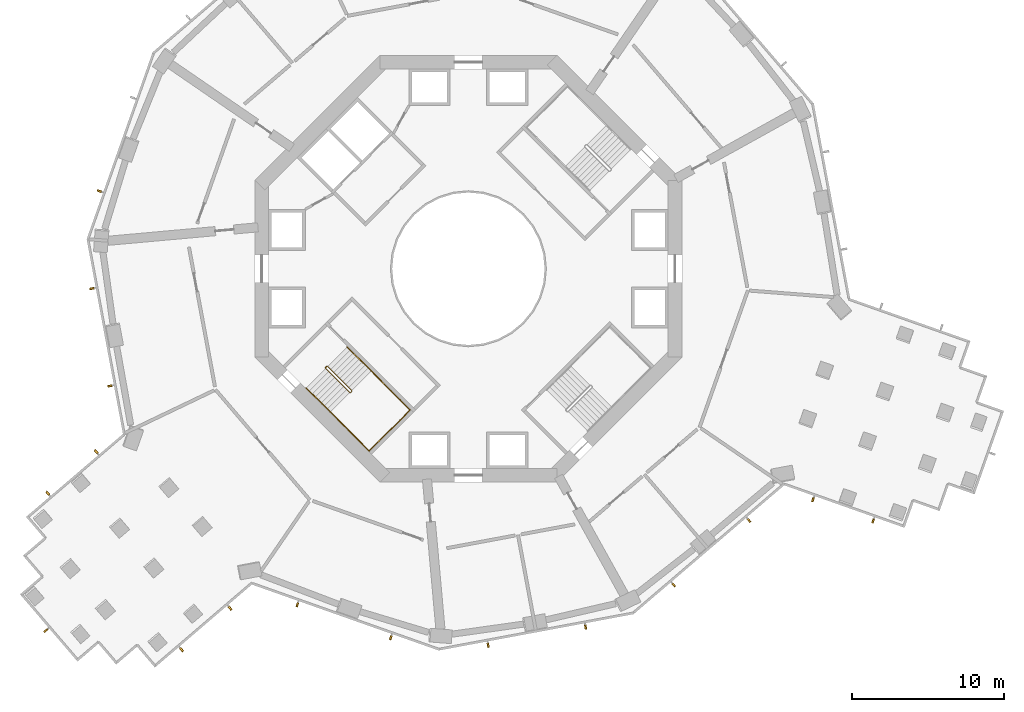
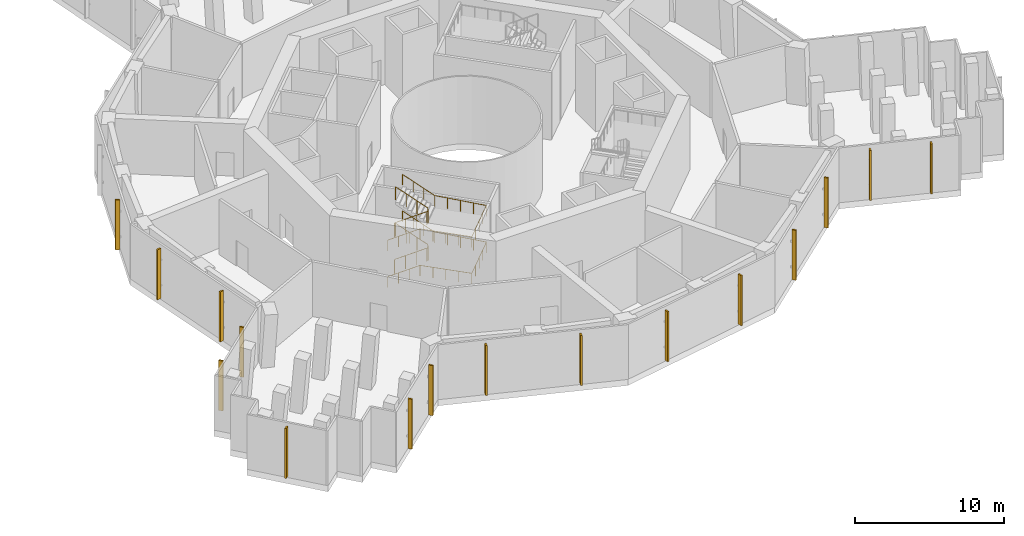
# One storey, part 18 of 20: 16 shading devices, 3 railings.
"""IFC4 building model written with IfcOpenShell, lengths in metres."""

import ifcopenshell
import ifcopenshell.guid

model = None  # the IFC model being written
_history = None  # IfcOwnerHistory: only IFC2X3 demands one
_inside = {}  # id of a spatial element -> (the spatial element, [elements in it])
_under = {}  # id of a project, library or spatial element -> (it, [spatial elements below it])
_declared = {}  # id of a project -> (the project, [libraries it declares])
_typed = {}  # id of a type object -> (the type object, [elements of that type])
_made_of = {}  # id of a material, layer set ... -> (it, [elements and type objects made of it])


def new_model(schema):
    """Start an empty IFC model of exactly this schema.

    Asked for "IFC4X3", IfcOpenShell would pick the latest addendum, in which some entities
    have other attributes; the version numbers below select the first issue.
    IFC2X3 requires an IfcOwnerHistory on every rooted entity: one is made here for all.
    """
    global model, _history
    if schema == "IFC4X3":
        model = ifcopenshell.file(schema_version=(4, 3, 0, 0))
    else:
        model = ifcopenshell.file(schema=schema)
    _inside.clear()
    _under.clear()
    _declared.clear()
    _typed.clear()
    _made_of.clear()
    _history = None
    if model.schema == "IFC2X3":
        org = make("IfcOrganization", Name="unknown")
        user = make(
            "IfcPersonAndOrganization",
            ThePerson=make("IfcPerson", FamilyName="unknown"),
            TheOrganization=org,
        )
        app = make(
            "IfcApplication",
            ApplicationDeveloper=org,
            Version="unknown",
            ApplicationFullName="unknown",
            ApplicationIdentifier="unknown",
        )
        _history = make(
            "IfcOwnerHistory",
            OwningUser=user,
            OwningApplication=app,
            ChangeAction="ADDED",
            CreationDate=0,
        )
    return model


def make(cls, **values):
    """One entity of the class cls with the attributes given. An attribute that is None is left unset."""
    return model.create_entity(
        cls, **{name: value for name, value in values.items() if value is not None}
    )


def rooted(cls, **values):
    """An entity with a GlobalId (a new one), such as an element, a storey or a relation."""
    return make(cls, GlobalId=ifcopenshell.guid.new(), OwnerHistory=_history, **values)


def si_unit(unit_type, name, prefix=None):
    """IfcSIUnit, for example si_unit("LENGTHUNIT", "METRE", prefix="MILLI")."""
    return make("IfcSIUnit", UnitType=unit_type, Prefix=prefix, Name=name)


def assignment(units):
    """IfcUnitAssignment: the units of a project."""
    return None if units is None else make("IfcUnitAssignment", Units=units)


def point(xyz):
    """IfcCartesianPoint."""
    return None if xyz is None else make("IfcCartesianPoint", Coordinates=xyz)


def direction(xyz):
    """IfcDirection."""
    return None if xyz is None else make("IfcDirection", DirectionRatios=xyz)


def frame(location, z_axis=None, x_axis=None):
    """IfcAxis2Placement3D, a coordinate frame: its origin and axes. An axis left out is left unset."""
    return make(
        "IfcAxis2Placement3D",
        Location=point(location),
        Axis=direction(z_axis),
        RefDirection=direction(x_axis),
    )


def frame_2d(location, x_axis=None):
    """IfcAxis2Placement2D, a coordinate frame in the plane: its origin and x axis."""
    return make(
        "IfcAxis2Placement2D", Location=point(location), RefDirection=direction(x_axis)
    )


def origin():
    """The frame at (0, 0, 0) with its axes left unset."""
    return frame((0.0, 0.0, 0.0))


def origin_2d():
    """The frame at (0, 0) in the plane with its x axis left unset."""
    return frame_2d((0.0, 0.0))


def place(relative_to, where):
    """IfcLocalPlacement: puts the frame where relative to a parent placement (None: the world)."""
    return make(
        "IfcLocalPlacement", PlacementRelTo=relative_to, RelativePlacement=where
    )


def context(
    kind, dimensions, precision=None, world=None, true_north=None, identifier=None
):
    """IfcGeometricRepresentationContext, for example the 3D "Model" context."""
    return make(
        "IfcGeometricRepresentationContext",
        ContextIdentifier=identifier,
        ContextType=kind,
        CoordinateSpaceDimension=dimensions,
        Precision=precision,
        WorldCoordinateSystem=world,
        TrueNorth=true_north,
    )


def subcontext(parent, identifier, kind, view, scale=None):
    """IfcGeometricRepresentationSubContext, for example "Body" below "Model"."""
    return make(
        "IfcGeometricRepresentationSubContext",
        ContextIdentifier=identifier,
        ContextType=kind,
        ParentContext=parent,
        TargetScale=scale,
        TargetView=view,
    )


def project(units=None, contexts=None):
    """IfcProject with its units and contexts."""
    return rooted(
        "IfcProject",
        Name="project",
        RepresentationContexts=contexts,
        UnitsInContext=assignment(units),
    )


def spatial(cls, under=None, at=None, **own):
    """A site, building, storey or space (cls), placed at a placement, below another one or the project."""
    s = rooted(cls, ObjectPlacement=at, **own)
    if under is not None:
        _under.setdefault(under.id(), (under, []))[1].append(s)
    return s


def profile(cls, at=None, kind="AREA", **sizes):
    """A parametric profile (cls). Its sizes go by their IFC names, for example OverallWidth=200.0."""
    return make(cls, ProfileType=kind, Position=at, **sizes)


def rectangle(**sizes):
    """IfcRectangleProfileDef."""
    return profile("IfcRectangleProfileDef", **sizes)


def circle(**sizes):
    """IfcCircleProfileDef."""
    return profile("IfcCircleProfileDef", **sizes)


def extrude(swept, where, along, depth):
    """IfcExtrudedAreaSolid: the profile swept, set in the frame where, extruded along a direction by depth."""
    return make(
        "IfcExtrudedAreaSolid",
        SweptArea=swept,
        Position=where,
        ExtrudedDirection=direction(along),
        Depth=depth,
    )


def shape(context_of_items, identifier, shape_type, items):
    """IfcShapeRepresentation: the items that make up one representation, for example the "Body"."""
    return make(
        "IfcShapeRepresentation",
        ContextOfItems=context_of_items,
        RepresentationIdentifier=identifier,
        RepresentationType=shape_type,
        Items=items,
    )


def material(Name=None, Category=None):
    """IfcMaterial."""
    return make("IfcMaterial", Name=Name, Category=Category)


def material_profile(
    of_material, cross_section, Name=None, Category=None, Priority=None
):
    """IfcMaterialProfile: a cross section and its material."""
    return make(
        "IfcMaterialProfile",
        Name=Name,
        Material=of_material,
        Profile=cross_section,
        Priority=Priority,
        Category=Category,
    )


def profile_set(profiles, Name=None, composite=None):
    """IfcMaterialProfileSet."""
    return make(
        "IfcMaterialProfileSet",
        Name=Name,
        MaterialProfiles=profiles,
        CompositeProfile=composite,
    )


def made_of(thing, what):
    """Note that an element or type object is made of a material, layer set ...; save() writes the relation."""
    if what is not None:
        _made_of.setdefault(what.id(), (what, []))[1].append(thing)
    return thing


def type_object(cls, material=None, **own):
    """A type object (cls), such as IfcWallType, which elements share."""
    return made_of(rooted(cls, **own), material)


def element(
    cls,
    number,
    at=None,
    inside=None,
    cuts=None,
    type_object=None,
    material=None,
    context=None,
    identifier="Body",
    shape_type=None,
    held_by="IfcProductDefinitionShape",
    body=None,
    shapes=None,
    **own,
):
    """One element of the class cls, such as IfcWall. Its Tag is "e" and its number.

    at: its placement. inside: the storey or other place that contains it. cuts: it is an
    opening in that element (IfcRelVoidsElement). A single representation is given by context,
    identifier, shape_type and body (its items); several are given by shapes. held_by: the class
    of the entity that holds the representations. save() writes the other relations.
    """
    e = rooted(cls, Tag="e%d" % number, ObjectPlacement=at, **own)
    if body is not None:
        shapes = [shape(context, identifier, shape_type, body)]
    if shapes is not None:
        e.Representation = make(held_by, Representations=shapes)
    if inside is not None:
        _inside.setdefault(inside.id(), (inside, []))[1].append(e)
    if cuts is not None:
        rooted(
            "IfcRelVoidsElement", RelatingBuildingElement=cuts, RelatedOpeningElement=e
        )
    if type_object is not None:
        _typed.setdefault(type_object.id(), (type_object, []))[1].append(e)
    return made_of(e, material)


def aggregate(whole, parts):
    """IfcRelAggregates: a whole, such as a stair, and the parts it consists of."""
    return rooted("IfcRelAggregates", RelatingObject=whole, RelatedObjects=parts)


def save(model, path):
    """Write the relations noted so far, then the file.

    IfcRelAggregates (storeys below a building ...), IfcRelContainedInSpatialStructure (elements
    in a storey), IfcRelDefinesByType, IfcRelAssociatesMaterial and IfcRelDeclares: one each for
    every whole, place, type object, material and project.
    """
    for whole, parts in _under.values():
        aggregate(whole, parts)
    for where, things in _inside.values():
        rooted(
            "IfcRelContainedInSpatialStructure",
            RelatedElements=things,
            RelatingStructure=where,
        )
    for kind, things in _typed.values():
        rooted("IfcRelDefinesByType", RelatedObjects=things, RelatingType=kind)
    for what, things in _made_of.values():
        rooted("IfcRelAssociatesMaterial", RelatedObjects=things, RelatingMaterial=what)
    for by, libraries in _declared.values():
        rooted("IfcRelDeclares", RelatingContext=by, RelatedDefinitions=libraries)
    model.write(path)


model = new_model("IFC4")

# Units and contexts
model_context = context("Model", 3, precision=1e-05, world=origin(), true_north=direction((0.0, 1.0)))
body_context = subcontext(model_context, "Body", "Model", "MODEL_VIEW")
ifc_project = project(units=[si_unit("LENGTHUNIT", "METRE"), si_unit("AREAUNIT", "SQUARE_METRE"), si_unit("VOLUMEUNIT", "CUBIC_METRE"), si_unit("PLANEANGLEUNIT", "RADIAN"), si_unit("MASSUNIT", "GRAM", prefix="KILO")], contexts=[model_context])

# Site, building, storey
site_placement = place(None, origin())
site = spatial("IfcSite", under=ifc_project, at=site_placement, CompositionType="ELEMENT")
building_placement = place(site_placement, origin())
building = spatial("IfcBuilding", under=site, at=building_placement, Name="Verdalira Terraces Hotel", CompositionType="ELEMENT")
storey_placement = place(building_placement, frame((0.0, 0.0, 75.0)))
storey = spatial("IfcBuildingStorey", under=building, at=storey_placement, Name="L17", CompositionType="ELEMENT", Elevation=75.0)

# Railings
ifc_material_1 = material(Name="Stainless steel", Category="steel")
railing_type_1 = type_object("IfcRailingType", Name="Stair guard 1100", PredefinedType="GUARDRAIL", material=ifc_material_1)
railing_1_placement = place(storey_placement, frame((-9.369141, -6.469971, 0.0)))
element("IfcRailing", 1, at=railing_1_placement, inside=storey, type_object=railing_type_1, Name="L17 ST2 stair guard 1", PredefinedType="GUARDRAIL", context=body_context, shape_type="SweptSolid", body=[
    extrude(circle(Radius=0.023926, at=origin_2d()), frame((0.0, 0.0, 1.076172), z_axis=(0.70832698, 0.705884473, 0.0), x_axis=(-0.705884473, 0.70832698, 0.0)), (0.0, 0.0, 1.0), 0.099854),
    extrude(circle(Radius=0.023926, at=origin_2d()), frame((0.070801, 0.070557, 1.076172), z_axis=(-0.308122069, -0.615181649, 0.725680598), x_axis=(0.894118129, -0.447831187, 0.0)), (0.0, 0.0, 1.0), 0.229736),
    extrude(circle(Radius=0.023926, at=origin_2d()), frame((0.0, -0.070801, 1.242676), z_axis=(0.607628069, -0.607628069, 0.511445266), x_axis=(0.707106781, 0.707106781, 0.0)), (0.0, 0.0, 1.0), 2.606934),
    extrude(circle(Radius=0.023926, at=origin_2d()), frame((1.583984, -1.654785, 2.576172), z_axis=(1.0, 0.0, 0.0), x_axis=(0.0, 1.0, 0.0)), (0.0, 0.0, 1.0), 0.070557),
    extrude(circle(Radius=0.023926, at=origin_2d()), frame((1.654541, -1.654785, 2.576172), z_axis=(0.707106781, 0.707106781, 0.0), x_axis=(-0.707106781, 0.707106781, 0.0)), (0.0, 0.0, 1.0), 0.100098),
    extrude(circle(Radius=0.023926, at=origin_2d()), frame((1.725342, -1.583984, 2.576172), z_axis=(0.0, 0.390826706, 0.920464277), x_axis=(-1.0, 0.0, 0.0)), (0.0, 0.0, 1.0), 0.181152),
    extrude(circle(Radius=0.023926, at=origin_2d()), frame((1.725342, -1.513184, 2.742676), z_axis=(-0.607662647, 0.607568988, 0.511474371), x_axis=(-0.707052281, -0.707161277, 0.0)), (0.0, 0.0, 1.0), 2.606689),
    extrude(circle(Radius=0.023926, at=origin_2d()), frame((0.141357, 0.070557, 4.076172), z_axis=(-1.0, 0.0, 0.0), x_axis=(0.0, -1.0, 0.0)), (0.0, 0.0, 1.0), 0.070557),
    extrude(circle(Radius=0.023926, at=origin_2d()), frame((0.070801, 0.070557, 4.076172), z_axis=(-0.70832698, -0.705884473, 0.0), x_axis=(0.705884473, -0.70832698, 0.0)), (0.0, 0.0, 1.0), 0.099854),
    extrude(circle(Radius=0.023926, at=origin_2d()), frame((0.0, 0.0, 4.076172), z_axis=(0.0, -0.390826706, 0.920464277), x_axis=(1.0, 0.0, 0.0)), (0.0, 0.0, 1.0), 0.181152),
    extrude(circle(Radius=0.023926, at=origin_2d()), frame((0.0, -0.070801, 4.242676), z_axis=(0.607628069, -0.607628069, 0.511445266), x_axis=(0.707106781, 0.707106781, 0.0)), (0.0, 0.0, 1.0), 2.606934),
    extrude(circle(Radius=0.023926, at=origin_2d()), frame((1.583984, -1.654785, 5.576172), z_axis=(1.0, 0.0, 0.0), x_axis=(0.0, 1.0, 0.0)), (0.0, 0.0, 1.0), 0.070557),
    extrude(circle(Radius=0.023926, at=origin_2d()), frame((1.654541, -1.654785, 5.576172), z_axis=(0.707106781, 0.707106781, 0.0), x_axis=(-0.707106781, 0.707106781, 0.0)), (0.0, 0.0, 1.0), 0.100098),
    extrude(circle(Radius=0.023926, at=origin_2d()), frame((1.725342, -1.583984, 5.576172), z_axis=(0.0, 0.390826706, 0.920464277), x_axis=(-1.0, 0.0, 0.0)), (0.0, 0.0, 1.0), 0.181152),
    extrude(circle(Radius=0.023926, at=origin_2d()), frame((1.725342, -1.513184, 5.742676), z_axis=(-0.607662647, 0.607568988, 0.511474371), x_axis=(-0.707052281, -0.707161277, 0.0)), (0.0, 0.0, 1.0), 2.606689),
    extrude(circle(Radius=0.020996, at=origin_2d()), origin(), (0.0, 0.0, 1.0), 1.052002),
    extrude(circle(Radius=0.020996, at=origin_2d()), frame((0.070801, 0.070557, 0.0)), (0.0, 0.0, 1.0), 1.052002),
    extrude(circle(Radius=0.020996, at=origin_2d()), frame((0.0, -0.070801, 0.166748)), (0.0, 0.0, 1.0), 1.052002),
    extrude(circle(Radius=0.020996, at=origin_2d()), frame((0.528076, -0.598877, 0.611084)), (0.0, 0.0, 1.0), 1.052002),
    extrude(circle(Radius=0.020996, at=origin_2d()), frame((1.055908, -1.126709, 1.055664)), (0.0, 0.0, 1.0), 1.052002),
    extrude(circle(Radius=0.020996, at=origin_2d()), frame((1.583984, -1.654785, 1.5)), (0.0, 0.0, 1.0), 1.052002),
    extrude(circle(Radius=0.020996, at=origin_2d()), frame((1.654541, -1.654785, 1.5)), (0.0, 0.0, 1.0), 1.052002),
    extrude(circle(Radius=0.020996, at=origin_2d()), frame((1.725342, -1.583984, 1.5)), (0.0, 0.0, 1.0), 1.052002),
    extrude(circle(Radius=0.020996, at=origin_2d()), frame((1.725342, -1.513184, 1.666748)), (0.0, 0.0, 1.0), 1.052002),
    extrude(circle(Radius=0.020996, at=origin_2d()), frame((1.197266, -0.985352, 2.111084)), (0.0, 0.0, 1.0), 1.052002),
    extrude(circle(Radius=0.020996, at=origin_2d()), frame((0.669434, -0.457275, 2.555664)), (0.0, 0.0, 1.0), 1.052002),
    extrude(circle(Radius=0.020996, at=origin_2d()), frame((0.141357, 0.070557, 3.0)), (0.0, 0.0, 1.0), 1.052002),
    extrude(circle(Radius=0.020996, at=origin_2d()), frame((0.070801, 0.070557, 3.0)), (0.0, 0.0, 1.0), 1.052002),
    extrude(circle(Radius=0.020996, at=origin_2d()), frame((0.0, 0.0, 3.0)), (0.0, 0.0, 1.0), 1.052002),
    extrude(circle(Radius=0.020996, at=origin_2d()), frame((0.0, -0.070801, 3.166748)), (0.0, 0.0, 1.0), 1.052002),
    extrude(circle(Radius=0.020996, at=origin_2d()), frame((0.528076, -0.598877, 3.611084)), (0.0, 0.0, 1.0), 1.052002),
    extrude(circle(Radius=0.020996, at=origin_2d()), frame((1.055908, -1.126709, 4.055664)), (0.0, 0.0, 1.0), 1.052002),
    extrude(circle(Radius=0.020996, at=origin_2d()), frame((1.583984, -1.654785, 4.5)), (0.0, 0.0, 1.0), 1.052002),
    extrude(circle(Radius=0.020996, at=origin_2d()), frame((1.654541, -1.654785, 4.5)), (0.0, 0.0, 1.0), 1.052002),
    extrude(circle(Radius=0.020996, at=origin_2d()), frame((1.725342, -1.583984, 4.5)), (0.0, 0.0, 1.0), 1.052002),
    extrude(circle(Radius=0.020996, at=origin_2d()), frame((1.725342, -1.513184, 4.666748)), (0.0, 0.0, 1.0), 1.052002),
    extrude(circle(Radius=0.020996, at=origin_2d()), frame((1.197266, -0.985352, 5.111084)), (0.0, 0.0, 1.0), 1.052002),
    extrude(circle(Radius=0.020996, at=origin_2d()), frame((0.669434, -0.457275, 5.555664)), (0.0, 0.0, 1.0), 1.052002),
    extrude(circle(Radius=0.020996, at=origin_2d()), frame((0.141357, 0.070557, 6.0)), (0.0, 0.0, 1.0), 1.052002),
])
ifc_material_2 = material(Name="Stainless steel", Category="steel")
railing_type_2 = type_object("IfcRailingType", Name="Stair handrail 900", PredefinedType="HANDRAIL", material=ifc_material_2)
railing_2_placement = place(storey_placement, frame((-10.641846, -7.813477, 0.166748)))
element("IfcRailing", 2, at=railing_2_placement, inside=storey, type_object=railing_type_2, Name="L17 ST2 stair handrail 1", PredefinedType="HANDRAIL", context=body_context, shape_type="SweptSolid", body=[
    extrude(circle(Radius=0.023926, at=origin_2d()), frame((0.0, 0.0, 0.875977), z_axis=(0.607568988, -0.607662647, 0.511474371), x_axis=(0.707161277, 0.707052281, 0.0)), (0.0, 0.0, 1.0), 2.606689),
    extrude(circle(Radius=0.023926, at=origin_2d()), frame((1.58374, -1.583984, 2.208984), z_axis=(0.707106781, -0.707106781, 0.0), x_axis=(0.707106781, 0.707106781, 0.0)), (0.0, 0.0, 1.0), 3.610107),
    extrude(circle(Radius=0.023926, at=origin_2d()), frame((4.136475, -4.136719, 2.208984), z_axis=(0.707106781, 0.707106781, 0.0), x_axis=(-0.707106781, 0.707106781, 0.0)), (0.0, 0.0, 1.0), 3.800049),
    extrude(circle(Radius=0.023926, at=origin_2d()), frame((6.823486, -1.449707, 2.208984), z_axis=(-0.706353701, 0.706353701, 0.046139975), x_axis=(-0.707106781, -0.707106781, 0.0)), (0.0, 0.0, 1.0), 3.614014),
    extrude(circle(Radius=0.023926, at=origin_2d()), frame((4.270752, 1.103027, 2.375977), z_axis=(-0.607568988, 0.607662647, 0.511474371), x_axis=(-0.707161277, -0.707052281, 0.0)), (0.0, 0.0, 1.0), 2.606689),
    extrude(circle(Radius=0.020996, at=origin_2d()), origin(), (0.0, 0.0, 1.0), 0.851807),
    extrude(circle(Radius=0.020996, at=origin_2d()), frame((0.527832, -0.528076, 0.444336)), (0.0, 0.0, 1.0), 0.851807),
    extrude(circle(Radius=0.020996, at=origin_2d()), frame((1.055908, -1.055908, 0.888916)), (0.0, 0.0, 1.0), 0.851807),
    extrude(circle(Radius=0.020996, at=origin_2d()), frame((1.58374, -1.583984, 1.333252)), (0.0, 0.0, 1.0), 0.851807),
    extrude(circle(Radius=0.020996, at=origin_2d()), frame((2.221924, -2.222168, 1.333252)), (0.0, 0.0, 1.0), 0.851807),
    extrude(circle(Radius=0.020996, at=origin_2d()), frame((2.860107, -2.860352, 1.333252)), (0.0, 0.0, 1.0), 0.851807),
    extrude(circle(Radius=0.020996, at=origin_2d()), frame((3.498291, -3.498535, 1.333252)), (0.0, 0.0, 1.0), 0.851807),
    extrude(circle(Radius=0.020996, at=origin_2d()), frame((4.136475, -4.136719, 1.333252)), (0.0, 0.0, 1.0), 0.851807),
    extrude(circle(Radius=0.020996, at=origin_2d()), frame((4.808105, -3.464844, 1.333252)), (0.0, 0.0, 1.0), 0.851807),
    extrude(circle(Radius=0.020996, at=origin_2d()), frame((5.47998, -2.793213, 1.333252)), (0.0, 0.0, 1.0), 0.851807),
    extrude(circle(Radius=0.020996, at=origin_2d()), frame((6.151855, -2.121582, 1.333252)), (0.0, 0.0, 1.0), 0.851807),
    extrude(circle(Radius=0.020996, at=origin_2d()), frame((6.823486, -1.449707, 1.333252)), (0.0, 0.0, 1.0), 0.851807),
    extrude(circle(Radius=0.020996, at=origin_2d()), frame((6.185303, -0.811523, 1.375)), (0.0, 0.0, 1.0), 0.851807),
    extrude(circle(Radius=0.020996, at=origin_2d()), frame((5.547119, -0.17334, 1.416504)), (0.0, 0.0, 1.0), 0.851807),
    extrude(circle(Radius=0.020996, at=origin_2d()), frame((4.908936, 0.464844, 1.458252)), (0.0, 0.0, 1.0), 0.851807),
    extrude(circle(Radius=0.020996, at=origin_2d()), frame((4.270752, 1.103027, 1.5)), (0.0, 0.0, 1.0), 0.851807),
    extrude(circle(Radius=0.020996, at=origin_2d()), frame((3.74292, 1.631104, 1.944336)), (0.0, 0.0, 1.0), 0.851807),
    extrude(circle(Radius=0.020996, at=origin_2d()), frame((3.214844, 2.158936, 2.388916)), (0.0, 0.0, 1.0), 0.851807),
    extrude(circle(Radius=0.020996, at=origin_2d()), frame((2.687012, 2.687012, 2.833252)), (0.0, 0.0, 1.0), 0.851807),
])
railing_3_placement = place(storey_placement, frame((-10.641846, -7.813477, 3.166748)))
element("IfcRailing", 3, at=railing_3_placement, inside=storey, type_object=railing_type_2, Name="L17 ST2 stair handrail 2", PredefinedType="HANDRAIL", context=body_context, shape_type="SweptSolid", body=[
    extrude(circle(Radius=0.023926, at=origin_2d()), frame((0.0, 0.0, 0.875977), z_axis=(0.607568988, -0.607662647, 0.511474371), x_axis=(0.707161277, 0.707052281, 0.0)), (0.0, 0.0, 1.0), 2.606689),
    extrude(circle(Radius=0.023926, at=origin_2d()), frame((1.58374, -1.583984, 2.208984), z_axis=(0.707106781, -0.707106781, 0.0), x_axis=(0.707106781, 0.707106781, 0.0)), (0.0, 0.0, 1.0), 3.610107),
    extrude(circle(Radius=0.023926, at=origin_2d()), frame((4.136475, -4.136719, 2.208984), z_axis=(0.707106781, 0.707106781, 0.0), x_axis=(-0.707106781, 0.707106781, 0.0)), (0.0, 0.0, 1.0), 3.800049),
    extrude(circle(Radius=0.023926, at=origin_2d()), frame((6.823486, -1.449707, 2.208984), z_axis=(-0.706353701, 0.706353701, 0.046139975), x_axis=(-0.707106781, -0.707106781, 0.0)), (0.0, 0.0, 1.0), 3.614014),
    extrude(circle(Radius=0.023926, at=origin_2d()), frame((4.270752, 1.103027, 2.375977), z_axis=(-0.607568988, 0.607662647, 0.511474371), x_axis=(-0.707161277, -0.707052281, 0.0)), (0.0, 0.0, 1.0), 2.606689),
    extrude(circle(Radius=0.020996, at=origin_2d()), origin(), (0.0, 0.0, 1.0), 0.851807),
    extrude(circle(Radius=0.020996, at=origin_2d()), frame((0.527832, -0.528076, 0.444336)), (0.0, 0.0, 1.0), 0.851807),
    extrude(circle(Radius=0.020996, at=origin_2d()), frame((1.055908, -1.055908, 0.888916)), (0.0, 0.0, 1.0), 0.851807),
    extrude(circle(Radius=0.020996, at=origin_2d()), frame((1.58374, -1.583984, 1.333252)), (0.0, 0.0, 1.0), 0.851807),
    extrude(circle(Radius=0.020996, at=origin_2d()), frame((2.221924, -2.222168, 1.333252)), (0.0, 0.0, 1.0), 0.851807),
    extrude(circle(Radius=0.020996, at=origin_2d()), frame((2.860107, -2.860352, 1.333252)), (0.0, 0.0, 1.0), 0.851807),
    extrude(circle(Radius=0.020996, at=origin_2d()), frame((3.498291, -3.498535, 1.333252)), (0.0, 0.0, 1.0), 0.851807),
    extrude(circle(Radius=0.020996, at=origin_2d()), frame((4.136475, -4.136719, 1.333252)), (0.0, 0.0, 1.0), 0.851807),
    extrude(circle(Radius=0.020996, at=origin_2d()), frame((4.808105, -3.464844, 1.333252)), (0.0, 0.0, 1.0), 0.851807),
    extrude(circle(Radius=0.020996, at=origin_2d()), frame((5.47998, -2.793213, 1.333252)), (0.0, 0.0, 1.0), 0.851807),
    extrude(circle(Radius=0.020996, at=origin_2d()), frame((6.151855, -2.121582, 1.333252)), (0.0, 0.0, 1.0), 0.851807),
    extrude(circle(Radius=0.020996, at=origin_2d()), frame((6.823486, -1.449707, 1.333252)), (0.0, 0.0, 1.0), 0.851807),
    extrude(circle(Radius=0.020996, at=origin_2d()), frame((6.185303, -0.811523, 1.375)), (0.0, 0.0, 1.0), 0.851807),
    extrude(circle(Radius=0.020996, at=origin_2d()), frame((5.547119, -0.17334, 1.416504)), (0.0, 0.0, 1.0), 0.851807),
    extrude(circle(Radius=0.020996, at=origin_2d()), frame((4.908936, 0.464844, 1.458252)), (0.0, 0.0, 1.0), 0.851807),
    extrude(circle(Radius=0.020996, at=origin_2d()), frame((4.270752, 1.103027, 1.5)), (0.0, 0.0, 1.0), 0.851807),
    extrude(circle(Radius=0.020996, at=origin_2d()), frame((3.74292, 1.631104, 1.944336)), (0.0, 0.0, 1.0), 0.851807),
    extrude(circle(Radius=0.020996, at=origin_2d()), frame((3.214844, 2.158936, 2.388916)), (0.0, 0.0, 1.0), 0.851807),
    extrude(circle(Radius=0.020996, at=origin_2d()), frame((2.687012, 2.687012, 2.833252)), (0.0, 0.0, 1.0), 0.851807),
])

# Shading devices
ifc_material_3 = material(Name="Terracotta frame", Category="masonry")
ifc_material_profile = material_profile(ifc_material_3, rectangle(XDim=0.120117, YDim=0.300049, at=origin_2d()), Name="FIN 120x300")
ifc_profile_set = profile_set([ifc_material_profile], Name="Terracotta frame")
shading_device_type = type_object("IfcShadingDeviceType", Name="Terracotta fin 120x300", PredefinedType="USERDEFINED", material=ifc_profile_set)
for number, where, z_axis, x_axis, name in (
    (4, (-24.192871, 5.092041, 0.199951), (0.0, 0.0, 1.0), (-0.332819545, -0.942990536, 0.0), "Terracotta fin"),
    (5, (-24.688965, -1.296631, 0.199951), (0.0, 0.0, 1.0), (0.183265088, -0.983063532, 0.0), "Terracotta fin"),
    (6, (-23.497559, -7.686523, 0.199951), (0.0, 0.0, 1.0), (0.183265088, -0.983063532, 0.0), "Terracotta fin"),
    (7, (-24.408447, -12.006348, 0.199951), (0.0, 0.0, 1.0), (-0.759725448, -0.650243987, 0.0), "Terracotta fin"),
    (8, (-27.587891, -14.727539, 0.199951), (0.0, 0.0, 1.0), (-0.759725448, -0.650243987, 0.0), "Terracotta fin"),
    (9, (-27.713379, -23.719727, 0.199951), (0.0, 0.0, 1.0), (0.650243987, -0.759725448, 0.0), "Terracotta fin"),
    (10, (-18.80957, -24.983887, 0.199951), (0.0, 0.0, 1.0), (0.759725448, 0.650243987, 0.0), "Terracotta fin"),
    (11, (-15.630127, -22.262695, 0.199951), (0.0, 0.0, 1.0), (0.759725448, 0.650243987, 0.0), "Terracotta fin"),
    (12, (-11.22168, -22.029541, 0.199951), (0.0, 0.0, 1.0), (0.942990536, -0.332819545, 0.0), "Terracotta fin"),
    (13, (-5.092041, -24.192871, 0.199951), (0.0, 0.0, 1.0), (0.942990536, -0.332819545, 0.0), "Terracotta fin"),
    (14, (1.296631, -24.688965, 0.199951), (0.0, 0.0, 1.0), (0.983063532, 0.183265088, 0.0), "Terracotta fin"),
    (15, (7.686523, -23.497559, 0.199951), (0.0, 0.0, 1.0), (0.983063532, 0.183265088, 0.0), "Terracotta fin"),
    (16, (13.467285, -20.73291, 0.199951), (0.0, 0.0, 1.0), (0.759725448, 0.650243987, 0.0), "Terracotta fin"),
    (17, (18.405518, -16.506348, 0.199951), (0.0, 0.0, 1.0), (0.759725448, 0.650243987, 0.0), "Terracotta fin"),
    (18, (22.602051, -15.135254, 0.199951), (0.0, 0.0, 1.0), (0.942990536, -0.332819545, 0.0), "Terracotta fin"),
    (19, (26.54834, -16.528076, 0.199951), (0.0, 0.0, 1.0), (0.942990536, -0.332819545, 0.0), "Terracotta fin"),
):
    element("IfcShadingDevice", number, at=place(storey_placement, frame(where, z_axis=z_axis, x_axis=x_axis)), inside=storey, type_object=shading_device_type, Name=name, ObjectType="FIN", PredefinedType="USERDEFINED", context=body_context, shape_type="SweptSolid", body=[
        extrude(rectangle(XDim=0.120117, YDim=0.300049, at=origin_2d()), origin(), (0.0, 0.0, 1.0), 4.100098),
    ])

save(model, "model.ifc")
